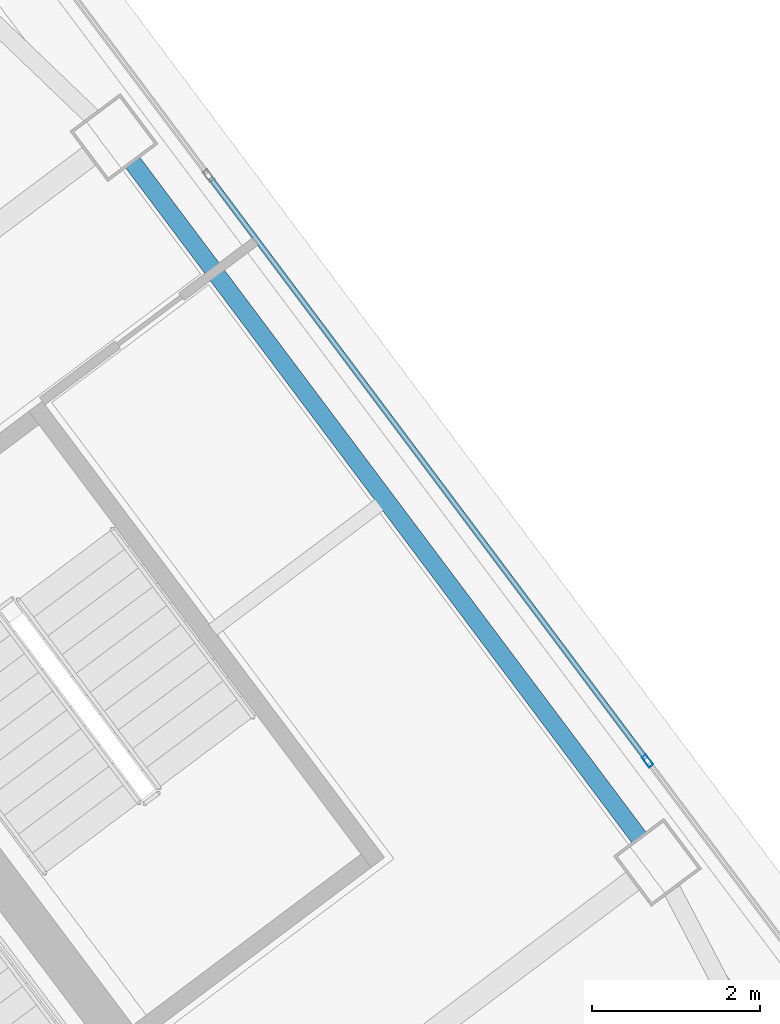
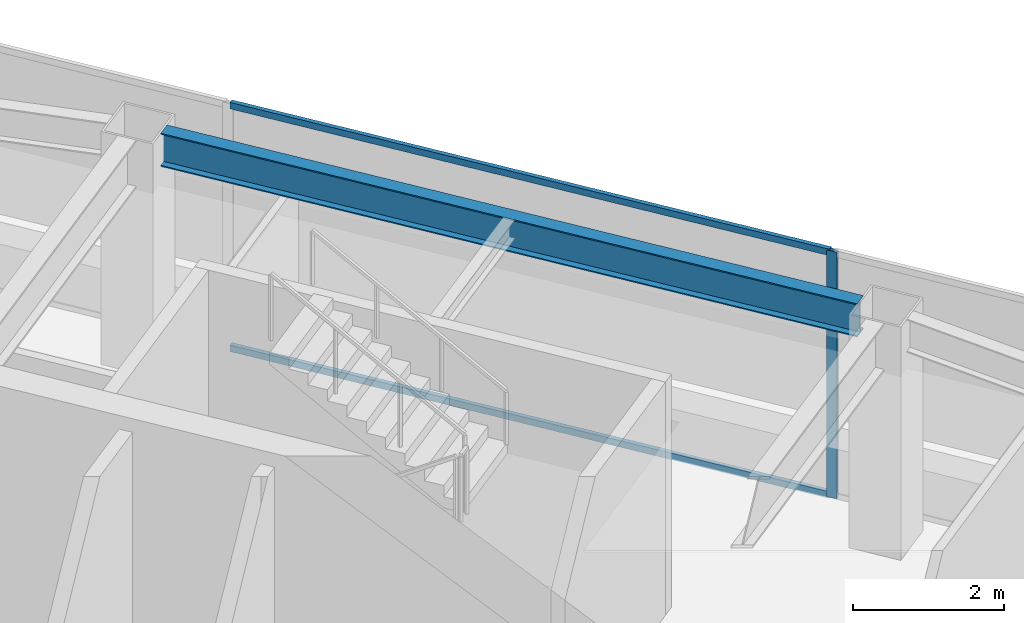
# One storey, part 34 of 51: 3 members, 1 beam, 1 element without a shape of its own.
"""IFC4 building model written with IfcOpenShell, lengths in metres."""

from ifc_helpers import new_model, si_unit, direction, frame, origin, origin_2d, place, context, subcontext, project, spatial, hollow_rectangle, i_section, extrude, material, material_profile, profile_set, type_object, element, aggregate, save


model = new_model("IFC4")

# Units and contexts
model_context = context("Model", 3, precision=1e-05, world=origin(), true_north=direction((0.0, 1.0)))
body_context = subcontext(model_context, "Body", "Model", "MODEL_VIEW")
ifc_project = project(units=[si_unit("LENGTHUNIT", "METRE"), si_unit("AREAUNIT", "SQUARE_METRE"), si_unit("VOLUMEUNIT", "CUBIC_METRE"), si_unit("PLANEANGLEUNIT", "RADIAN"), si_unit("MASSUNIT", "GRAM", prefix="KILO")], contexts=[model_context])

# Site, building, storey
site_placement = place(None, origin())
site = spatial("IfcSite", under=ifc_project, at=site_placement, CompositionType="ELEMENT")
building_placement = place(site_placement, origin())
building = spatial("IfcBuilding", under=site, at=building_placement, Name="Tashvorn Skyway Center", CompositionType="ELEMENT")
storey_placement = place(building_placement, frame((0.0, 0.0, 251.39990234375)))
storey = spatial("IfcBuildingStorey", under=building, at=storey_placement, Name="L68", CompositionType="ELEMENT", Elevation=251.39990234375)

# Beam
ifc_material_1 = material(Name="Steel ASTM A992 Grade 50", Category="steel")
ifc_material_profile_1 = material_profile(ifc_material_1, i_section(OverallWidth=0.2109375, OverallDepth=0.5390625, WebThickness=0.01171875, FlangeThickness=0.018798828125, at=origin_2d()), Name="W21X73")
ifc_profile_set_1 = profile_set([ifc_material_profile_1], Name="Steel ASTM A992 Grade 50")
beam_type = type_object("IfcBeamType", Name="BM-SPANDREL-W21X73", PredefinedType="SPANDREL", material=ifc_profile_set_1)
beam_placement = place(storey_placement, frame((128.41796875, 36.52587890625, 3.510498046875), z_axis=(-0.599988351091, 0.800008736549, 0.0), x_axis=(-0.800008736549, -0.599988351091, 0.0)))
element("IfcBeam", 1, at=beam_placement, inside=storey, type_object=beam_type, Name="Tower 2 L68 Spandrel Beam 05", PredefinedType="SPANDREL", context=body_context, shape_type="SweptSolid", body=[
    extrude(i_section(OverallWidth=0.2109375, OverallDepth=0.5390625, WebThickness=0.01171875, FlangeThickness=0.018798828125, at=origin_2d()), origin(), (0.0, 0.0, 1.0), 10.06005859375),
])

# Curtain wall, members
ifc_material_2 = material(Name="Thermally broken bronze-anodized aluminium 6063-T6", Category="aluminium")
curtain_wall_type = type_object("IfcCurtainWallType", Name="CW-CW-SKY", PredefinedType="NOTDEFINED", material=ifc_material_2)
curtain_wall_placement = place(storey_placement, origin())
curtain_wall = element("IfcCurtainWall", 2, at=curtain_wall_placement, inside=storey, type_object=curtain_wall_type, Name="Tower 2 L68 East Unitised Curtain Wall", PredefinedType="NOTDEFINED")
ifc_material_profile_2 = material_profile(ifc_material_2, hollow_rectangle(XDim=0.06494140625, YDim=0.14990234375, WallThickness=0.00390625, at=origin_2d()), Name="ALU-MULL-65x150")
ifc_profile_set_2 = profile_set([ifc_material_profile_2], Name="Thermally broken bronze-anodized aluminium 6063-T6")
member_type_1 = type_object("IfcMemberType", Name="CWM-CW-SKY", PredefinedType="MULLION", material=ifc_profile_set_2)
member_1_placement = place(storey_placement, frame((128.52001953125, 37.43994140625, 0.0), z_axis=(0.0, 0.0, 1.0), x_axis=(0.799999999998, 0.600000000002, 0.0)))
member_1 = element("IfcMember", 3, at=member_1_placement, type_object=member_type_1, Name="CW-SKY mullion 3", PredefinedType="MULLION", context=body_context, shape_type="SweptSolid", body=[
    extrude(hollow_rectangle(XDim=0.06494140625, YDim=0.14990234375, WallThickness=0.00390625, at=origin_2d()), origin(), (0.0, 0.0, 1.0), 4.0),
])
ifc_material_profile_3 = material_profile(ifc_material_2, hollow_rectangle(XDim=0.06494140625, YDim=0.10498046875, WallThickness=0.00390625, at=origin_2d()), Name="ALU-TRAN-65x105")
ifc_profile_set_3 = profile_set([ifc_material_profile_3], Name="Thermally broken bronze-anodized aluminium 6063-T6")
member_type_2 = type_object("IfcMemberType", Name="CWT-CW-SKY", PredefinedType="USERDEFINED", material=ifc_profile_set_3)
member_2_placement = place(storey_placement, frame((123.3076171875, 44.389892578125, 0.03271484375), z_axis=(0.6, -0.8, 0.0), x_axis=(0.8, 0.6, 0.0)))
member_2 = element("IfcMember", 4, at=member_2_placement, type_object=member_type_2, Name="CW-SKY transom 2.1", ObjectType="TRANSOM", PredefinedType="USERDEFINED", context=body_context, shape_type="SweptSolid", body=[
    extrude(hollow_rectangle(XDim=0.06494140625, YDim=0.10498046875, WallThickness=0.00390625, at=origin_2d()), origin(), (0.0, 0.0, 1.0), 8.65478515625),
])
member_3_placement = place(storey_placement, frame((123.3076171875, 44.389892578125, 3.967529296875), z_axis=(0.6, -0.8, 0.0), x_axis=(0.8, 0.6, 0.0)))
member_3 = element("IfcMember", 5, at=member_3_placement, type_object=member_type_2, Name="CW-SKY transom 2.2", ObjectType="TRANSOM", PredefinedType="USERDEFINED", context=body_context, shape_type="SweptSolid", body=[
    extrude(hollow_rectangle(XDim=0.06494140625, YDim=0.10498046875, WallThickness=0.00390625, at=origin_2d()), origin(), (0.0, 0.0, 1.0), 8.65478515625),
])
aggregate(curtain_wall, [member_1, member_2, member_3])

save(model, "model.ifc")
